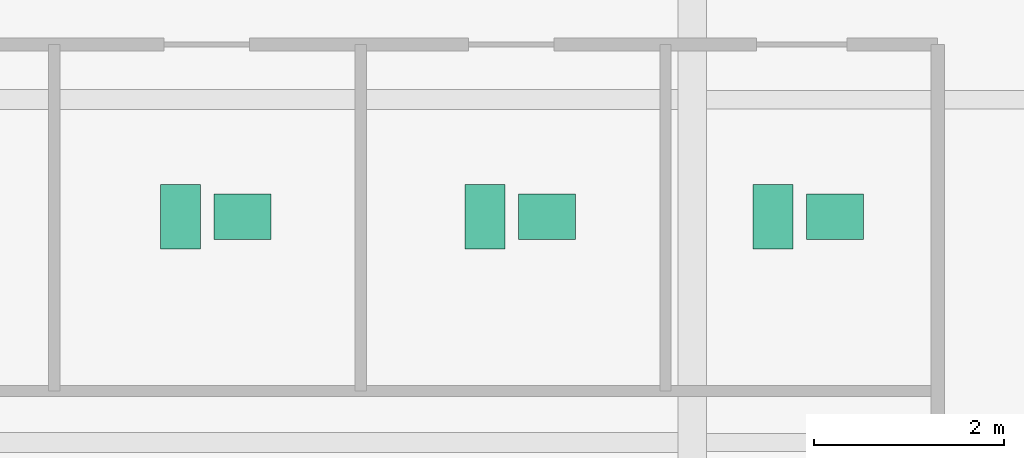
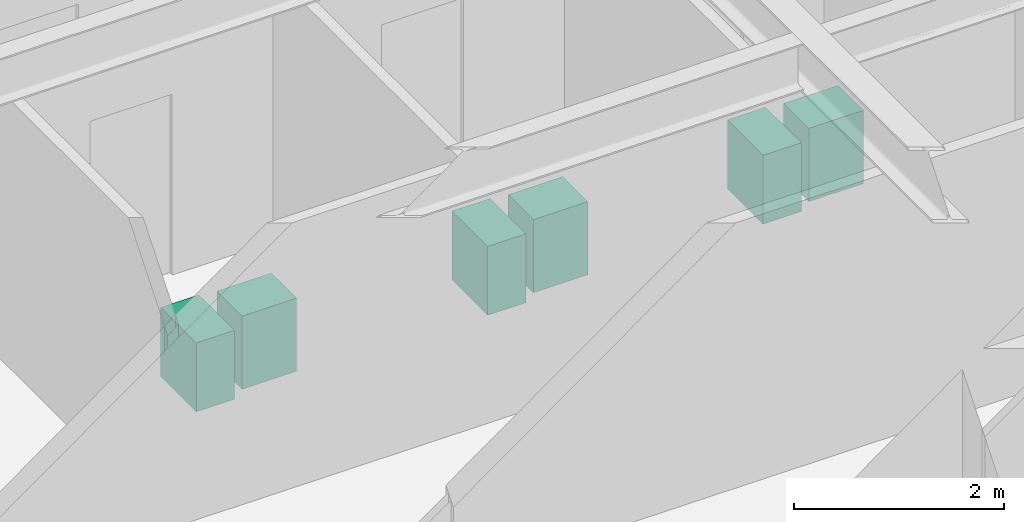
# One storey, part 31 of 31: 6 sanitary terminals.
"""IFC4 building model written with IfcOpenShell, lengths in metres."""

from ifc_helpers import new_model, si_unit, direction, frame, origin, origin_2d, place, context, subcontext, project, spatial, rectangle, extrude, source, transform, mapped, material, type_object, type_shapes, element, save


model = new_model("IFC4")

# Units and contexts
model_context = context("Model", 3, precision=1e-05, world=origin(), true_north=direction((0.0, 1.0)))
body_context = subcontext(model_context, "Body", "Model", "MODEL_VIEW")
ifc_project = project(units=[si_unit("LENGTHUNIT", "METRE"), si_unit("AREAUNIT", "SQUARE_METRE"), si_unit("VOLUMEUNIT", "CUBIC_METRE"), si_unit("PLANEANGLEUNIT", "RADIAN"), si_unit("MASSUNIT", "GRAM", prefix="KILO")], contexts=[model_context])

# Site, building, storey
site_placement = place(None, origin())
site = spatial("IfcSite", under=ifc_project, at=site_placement, CompositionType="ELEMENT")
building_placement = place(site_placement, origin())
building = spatial("IfcBuilding", under=site, at=building_placement, Name="Krantzveldt Concourse Tower", CompositionType="ELEMENT")
storey_placement = place(building_placement, frame((0.0, 0.0, 56.60009765625)))
storey = spatial("IfcBuildingStorey", under=building, at=storey_placement, Name="L13", CompositionType="ELEMENT", Elevation=56.60009765625)

# Sanitary terminals
ifc_material = material(Name="Vitreous china", Category="ceramic")
sanitary_terminal_type_1 = type_object("IfcSanitaryTerminalType", Name="SAN-WC-SUITE", PredefinedType="TOILETPAN", material=ifc_material)
shared_shape_1 = source(origin(), body_context, "Body", "SweptSolid", [
    extrude(rectangle(XDim=0.419921875, YDim=0.679931640625, at=origin_2d()), origin(), (0.0, 0.0, 1.0), 0.800048828125),
])
type_shapes(sanitary_terminal_type_1, [shared_shape_1])
for number, where, z_axis, x_axis, name in (
    (1, (36.02490234375, 32.570068359375, 0.0), (0.0, 0.0, 1.0), (1.0, 0.0, 0.0), "WC-SP-L13-WCM"),
    (2, (39.22509765625, 32.570068359375, 0.0), (0.0, 0.0, 1.0), (1.0, 0.0, 0.0), "WC-SP-L13-WCF"),
    (3, (42.25, 32.570068359375, 0.0), (0.0, 0.0, 1.0), (1.0, 0.0, 0.0), "WC-SP-L13-WCA"),
):
    element("IfcSanitaryTerminal", number, at=place(storey_placement, frame(where, z_axis=z_axis, x_axis=x_axis)), inside=storey, type_object=sanitary_terminal_type_1, Name=name, PredefinedType="TOILETPAN", context=body_context, shape_type="MappedRepresentation", body=[
        mapped(shared_shape_1, transform((0.0, 0.0, 0.0), x_axis=(1.0, 0.0, 0.0), y_axis=(0.0, 1.0, 0.0), z_axis=(0.0, 0.0, 1.0), scale=1.0)),
    ])
sanitary_terminal_type_2 = type_object("IfcSanitaryTerminalType", Name="SAN-BASIN-600", PredefinedType="WASHHANDBASIN", material=ifc_material)
shared_shape_2 = source(origin(), body_context, "Body", "SweptSolid", [
    extrude(rectangle(XDim=0.60009765625, YDim=0.47998046875, at=origin_2d()), origin(), (0.0, 0.0, 1.0), 0.85009765625),
])
type_shapes(sanitary_terminal_type_2, [shared_shape_2])
for number, where, z_axis, x_axis, name in (
    (4, (36.675048828125, 32.570068359375, 0.0048828125), (0.0, 0.0, 1.0), (1.0, 0.0, 0.0), "BSN-SP-L13-WCM"),
    (5, (39.875, 32.570068359375, 0.0048828125), (0.0, 0.0, 1.0), (1.0, 0.0, 0.0), "BSN-SP-L13-WCF"),
    (6, (42.89990234375, 32.570068359375, 0.0048828125), (0.0, 0.0, 1.0), (1.0, 0.0, 0.0), "BSN-SP-L13-WCA"),
):
    element("IfcSanitaryTerminal", number, at=place(storey_placement, frame(where, z_axis=z_axis, x_axis=x_axis)), inside=storey, type_object=sanitary_terminal_type_2, Name=name, PredefinedType="WASHHANDBASIN", context=body_context, shape_type="MappedRepresentation", body=[
        mapped(shared_shape_2, transform((0.0, 0.0, 0.0), x_axis=(1.0, 0.0, 0.0), y_axis=(0.0, 1.0, 0.0), z_axis=(0.0, 0.0, 1.0), scale=1.0)),
    ])

save(model, "model.ifc")
